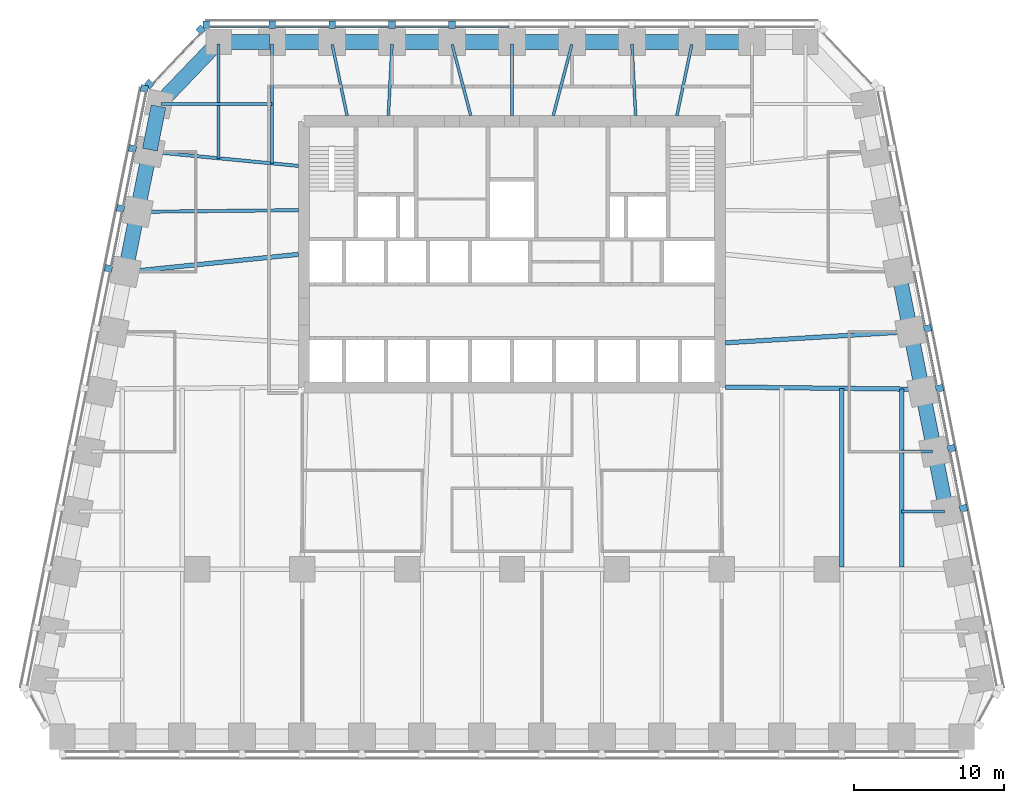
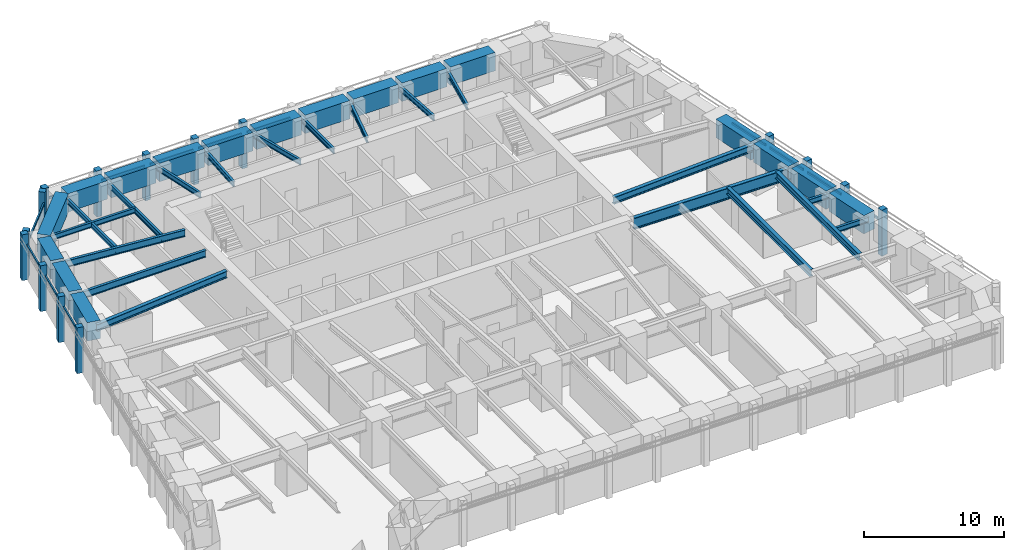
# One storey, part 3 of 10: 36 beams, 28 members, 4 elements without a shape of their own.
"""IFC4 building model written with IfcOpenShell, lengths in metres."""

from ifc_helpers import new_model, si_unit, direction, frame, origin, origin_2d, place, context, subcontext, project, spatial, rectangle, i_section, extrude, material, material_profile, profile_set, type_object, element, aggregate, save


model = new_model("IFC4")

# Units and contexts
model_context = context("Model", 3, precision=1e-05, world=origin(), true_north=direction((0.0, 1.0)))
body_context = subcontext(model_context, "Body", "Model", "MODEL_VIEW")
ifc_project = project(units=[si_unit("LENGTHUNIT", "METRE"), si_unit("AREAUNIT", "SQUARE_METRE"), si_unit("VOLUMEUNIT", "CUBIC_METRE"), si_unit("PLANEANGLEUNIT", "RADIAN"), si_unit("MASSUNIT", "GRAM", prefix="KILO")], contexts=[model_context])

# Site, building, storey
site_placement = place(None, origin())
site = spatial("IfcSite", under=ifc_project, at=site_placement, CompositionType="ELEMENT")
building_placement = place(site_placement, origin())
building = spatial("IfcBuilding", under=site, at=building_placement, Name="Isbrekke Arena Tower", CompositionType="ELEMENT")
storey_placement = place(building_placement, frame((0.0, 0.0, 147.0)))
storey = spatial("IfcBuildingStorey", under=building, at=storey_placement, Name="L33", CompositionType="ELEMENT", Elevation=147.0)

# Beams
ifc_material_1 = material(Name="Steel S355", Category="steel")
ifc_material_profile_1 = material_profile(ifc_material_1, i_section(OverallWidth=0.219970703125, OverallDepth=0.60009765625, WebThickness=0.011962890625, FlangeThickness=0.01904296875, FilletRadius=0.02392578125, at=origin_2d()), Name="IPE 600")
ifc_profile_set_1 = profile_set([ifc_material_profile_1], Name="Steel S355")
beam_type_1 = type_object("IfcBeamType", Name="B1 IPE 600", PredefinedType="BEAM", material=ifc_profile_set_1)
beam_1_placement = place(storey_placement, frame((-24.030517578125, 21.837158203125, 3.550048828125), z_axis=(0.995439798606, -0.095391862082, 0.0), x_axis=(0.095391862082, 0.995439798606, 0.0)))
element("IfcBeam", 1, at=beam_1_placement, inside=storey, type_object=beam_type_1, Name="B1 beam E-W02 L33", PredefinedType="BEAM", context=body_context, shape_type="SweptSolid", body=[
    extrude(i_section(OverallWidth=0.219970703125, OverallDepth=0.60009765625, WebThickness=0.011962890625, FlangeThickness=0.01904296875, FilletRadius=0.02392578125, at=origin_2d()), origin(), (0.0, 0.0, 1.0), 9.825439453125),
])
beam_2_placement = place(storey_placement, frame((-24.83984375, 17.838134765625, 3.550048828125), z_axis=(0.999944260169, 0.010558245831, 0.0), x_axis=(-0.010558245831, 0.999944260169, 0.0)))
element("IfcBeam", 2, at=beam_2_placement, inside=storey, type_object=beam_type_1, Name="B1 beam E-W03 L33", PredefinedType="BEAM", context=body_context, shape_type="SweptSolid", body=[
    extrude(i_section(OverallWidth=0.219970703125, OverallDepth=0.60009765625, WebThickness=0.011962890625, FlangeThickness=0.01904296875, FilletRadius=0.02392578125, at=origin_2d()), origin(), (0.0, 0.0, 1.0), 10.59033203125),
])
ifc_material_2 = material(Name="Steel S355", Category="steel")
ifc_material_profile_2 = material_profile(ifc_material_2, i_section(OverallWidth=0.18994140625, OverallDepth=0.449951171875, WebThickness=0.009521484375, FlangeThickness=0.0146484375, FilletRadius=0.02099609375, at=origin_2d()), Name="IPE 450")
ifc_profile_set_2 = profile_set([ifc_material_profile_2], Name="Steel S355")
beam_type_2 = type_object("IfcBeamType", Name="B2 IPE 450", PredefinedType="BEAM", material=ifc_profile_set_2)
beam_3_placement = place(storey_placement, frame((28.841064453125, -2.161865234375, 3.625), z_axis=(-1.0, 0.0, 0.0), x_axis=(0.0, -1.0, 0.0)))
element("IfcBeam", 3, at=beam_3_placement, inside=storey, type_object=beam_type_2, Name="B2 beam E-E04 L33", PredefinedType="BEAM", context=body_context, shape_type="SweptSolid", body=[
    extrude(i_section(OverallWidth=0.18994140625, OverallDepth=0.449951171875, WebThickness=0.009521484375, FlangeThickness=0.0146484375, FilletRadius=0.02099609375, at=origin_2d()), origin(), (0.0, 0.0, 1.0), 2.841064453125),
])
beam_4_placement = place(storey_placement, frame((28.041015625, 1.838134765625, 3.625), z_axis=(-1.0, 0.0, 0.0), x_axis=(0.0, -1.0, 0.0)))
element("IfcBeam", 4, at=beam_4_placement, inside=storey, type_object=beam_type_2, Name="B2 beam E-E05 L33", PredefinedType="BEAM", context=body_context, shape_type="SweptSolid", body=[
    extrude(i_section(OverallWidth=0.18994140625, OverallDepth=0.449951171875, WebThickness=0.009521484375, FlangeThickness=0.0146484375, FilletRadius=0.02099609375, at=origin_2d()), origin(), (0.0, 0.0, 1.0), 2.041015625),
])
beam_5_placement = place(storey_placement, frame((-23.40283203125, 25.029296875, 3.625), z_axis=(1.0, 0.0, 0.0), x_axis=(0.0, 1.0, 0.0)))
element("IfcBeam", 5, at=beam_5_placement, inside=storey, type_object=beam_type_2, Name="B2 beam E-W01 L33", PredefinedType="BEAM", context=body_context, shape_type="SweptSolid", body=[
    extrude(i_section(OverallWidth=0.18994140625, OverallDepth=0.449951171875, WebThickness=0.009521484375, FlangeThickness=0.0146484375, FilletRadius=0.02099609375, at=origin_2d()), origin(), (0.0, 0.0, 1.0), 7.40283203125),
])
ifc_material_3 = material(Name="Steel S355", Category="steel")
ifc_material_profile_3 = material_profile(ifc_material_3, i_section(OverallWidth=0.18994140625, OverallDepth=0.449951171875, WebThickness=0.009521484375, FlangeThickness=0.0146484375, FilletRadius=0.02099609375, at=origin_2d()), Name="IPE 450")
ifc_profile_set_3 = profile_set([ifc_material_profile_3], Name="Steel S355")
beam_type_3 = type_object("IfcBeamType", Name="B3 IPE 450", PredefinedType="BEAM", material=ifc_profile_set_3)
beam_6_placement = place(storey_placement, frame((-16.0, 29.02490234375, 3.625), z_axis=(0.0, -1.0, 0.0), x_axis=(1.0, 0.0, 0.0)))
element("IfcBeam", 6, at=beam_6_placement, inside=storey, type_object=beam_type_3, Name="B3 beam N-N10 L33", PredefinedType="BEAM", context=body_context, shape_type="SweptSolid", body=[
    extrude(i_section(OverallWidth=0.18994140625, OverallDepth=0.449951171875, WebThickness=0.009521484375, FlangeThickness=0.0146484375, FilletRadius=0.02099609375, at=origin_2d()), origin(), (0.0, 0.0, 1.0), 7.957275390625),
])
beam_7_placement = place(storey_placement, frame((-19.574951171875, 29.02490234375, 3.625), z_axis=(0.0, -1.0, 0.0), x_axis=(1.0, 0.0, 0.0)))
element("IfcBeam", 7, at=beam_7_placement, inside=storey, type_object=beam_type_3, Name="B3 beam N-N11 L33", PredefinedType="BEAM", context=body_context, shape_type="SweptSolid", body=[
    extrude(i_section(OverallWidth=0.18994140625, OverallDepth=0.449951171875, WebThickness=0.009521484375, FlangeThickness=0.0146484375, FilletRadius=0.02099609375, at=origin_2d()), origin(), (0.0, 0.0, 1.0), 7.61474609375),
])
beam_8_placement = place(storey_placement, frame((11.99609375, 29.005859375, 3.625), z_axis=(-0.20499748459, -0.978762499952, 0.0), x_axis=(0.978762499952, -0.20499748459, 0.0)))
element("IfcBeam", 8, at=beam_8_placement, inside=storey, type_object=beam_type_3, Name="B3 beam N-N03 L33", PredefinedType="BEAM", context=body_context, shape_type="SweptSolid", body=[
    extrude(i_section(OverallWidth=0.18994140625, OverallDepth=0.449951171875, WebThickness=0.009521484375, FlangeThickness=0.0146484375, FilletRadius=0.02099609375, at=origin_2d()), origin(), (0.0, 0.0, 1.0), 4.859130859375),
])
beam_9_placement = place(storey_placement, frame((8.000244140625, 29.02001953125, 3.625), z_axis=(0.052287879538, -0.998632053187, 0.0), x_axis=(0.998632053187, 0.052287879538, 0.0)))
element("IfcBeam", 9, at=beam_9_placement, inside=storey, type_object=beam_type_3, Name="B3 beam N-N04 L33", PredefinedType="BEAM", context=body_context, shape_type="SweptSolid", body=[
    extrude(i_section(OverallWidth=0.18994140625, OverallDepth=0.449951171875, WebThickness=0.009521484375, FlangeThickness=0.0146484375, FilletRadius=0.02099609375, at=origin_2d()), origin(), (0.0, 0.0, 1.0), 4.776611328125),
])
beam_10_placement = place(storey_placement, frame((3.993896484375, 29.001708984375, 3.625), z_axis=(-0.253245319824, -0.967402092197, 0.0), x_axis=(0.967402092197, -0.253245319824, 0.0)))
element("IfcBeam", 10, at=beam_10_placement, inside=storey, type_object=beam_type_3, Name="B3 beam N-N05 L33", PredefinedType="BEAM", context=body_context, shape_type="SweptSolid", body=[
    extrude(i_section(OverallWidth=0.18994140625, OverallDepth=0.449951171875, WebThickness=0.009521484375, FlangeThickness=0.0146484375, FilletRadius=0.02099609375, at=origin_2d()), origin(), (0.0, 0.0, 1.0), 4.911865234375),
])
beam_11_placement = place(storey_placement, frame((0.0, 29.02490234375, 3.625), z_axis=(0.0, -1.0, 0.0), x_axis=(1.0, 0.0, 0.0)))
element("IfcBeam", 11, at=beam_11_placement, inside=storey, type_object=beam_type_3, Name="B3 beam N-N06 L33", PredefinedType="BEAM", context=body_context, shape_type="SweptSolid", body=[
    extrude(i_section(OverallWidth=0.18994140625, OverallDepth=0.449951171875, WebThickness=0.009521484375, FlangeThickness=0.0146484375, FilletRadius=0.02099609375, at=origin_2d()), origin(), (0.0, 0.0, 1.0), 4.77490234375),
])
beam_12_placement = place(storey_placement, frame((-3.993896484375, 29.001708984375, 3.625), z_axis=(0.253245319824, -0.967402092197, 0.0), x_axis=(0.967402092197, 0.253245319824, 0.0)))
element("IfcBeam", 12, at=beam_12_placement, inside=storey, type_object=beam_type_3, Name="B3 beam N-N07 L33", PredefinedType="BEAM", context=body_context, shape_type="SweptSolid", body=[
    extrude(i_section(OverallWidth=0.18994140625, OverallDepth=0.449951171875, WebThickness=0.009521484375, FlangeThickness=0.0146484375, FilletRadius=0.02099609375, at=origin_2d()), origin(), (0.0, 0.0, 1.0), 4.911865234375),
])
beam_13_placement = place(storey_placement, frame((-8.000244140625, 29.02001953125, 3.625), z_axis=(-0.052287879538, -0.998632053187, 0.0), x_axis=(0.998632053187, -0.052287879538, 0.0)))
element("IfcBeam", 13, at=beam_13_placement, inside=storey, type_object=beam_type_3, Name="B3 beam N-N08 L33", PredefinedType="BEAM", context=body_context, shape_type="SweptSolid", body=[
    extrude(i_section(OverallWidth=0.18994140625, OverallDepth=0.449951171875, WebThickness=0.009521484375, FlangeThickness=0.0146484375, FilletRadius=0.02099609375, at=origin_2d()), origin(), (0.0, 0.0, 1.0), 4.776611328125),
])
beam_14_placement = place(storey_placement, frame((-11.99609375, 29.005859375, 3.625), z_axis=(0.20499748459, -0.978762499952, 0.0), x_axis=(0.978762499952, 0.20499748459, 0.0)))
element("IfcBeam", 14, at=beam_14_placement, inside=storey, type_object=beam_type_3, Name="B3 beam N-N09 L33", PredefinedType="BEAM", context=body_context, shape_type="SweptSolid", body=[
    extrude(i_section(OverallWidth=0.18994140625, OverallDepth=0.449951171875, WebThickness=0.009521484375, FlangeThickness=0.0146484375, FilletRadius=0.02099609375, at=origin_2d()), origin(), (0.0, 0.0, 1.0), 4.859130859375),
])
ifc_material_4 = material(Name="Steel S355", Category="steel")
ifc_material_profile_4 = material_profile(ifc_material_4, i_section(OverallWidth=0.300048828125, OverallDepth=0.60009765625, WebThickness=0.015380859375, FlangeThickness=0.030029296875, FilletRadius=0.027099609375, at=origin_2d()), Name="HEB 600")
ifc_profile_set_4 = profile_set([ifc_material_profile_4], Name="Steel S355")
beam_type_4 = type_object("IfcBeamType", Name="B7 HEB 600", PredefinedType="BEAM", material=ifc_profile_set_4)
beam_15_placement = place(storey_placement, frame((22.0, -5.84912109375, 3.550048828125), z_axis=(0.0, 1.0, 0.0), x_axis=(-1.0, 0.0, 0.0)))
element("IfcBeam", 15, at=beam_15_placement, inside=storey, type_object=beam_type_4, Name="B7 beam C-M13 L33", PredefinedType="BEAM", context=body_context, shape_type="SweptSolid", body=[
    extrude(i_section(OverallWidth=0.300048828125, OverallDepth=0.60009765625, WebThickness=0.015380859375, FlangeThickness=0.030029296875, FilletRadius=0.027099609375, at=origin_2d()), origin(), (0.0, 0.0, 1.0), 11.91064453125),
])
beam_16_placement = place(storey_placement, frame((26.0, -5.84912109375, 3.550048828125), z_axis=(0.0, 1.0, 0.0), x_axis=(-1.0, 0.0, 0.0)))
element("IfcBeam", 16, at=beam_16_placement, inside=storey, type_object=beam_type_4, Name="B7 beam C-M14 L33", PredefinedType="BEAM", context=body_context, shape_type="SweptSolid", body=[
    extrude(i_section(OverallWidth=0.300048828125, OverallDepth=0.60009765625, WebThickness=0.015380859375, FlangeThickness=0.030029296875, FilletRadius=0.027099609375, at=origin_2d()), origin(), (0.0, 0.0, 1.0), 11.864990234375),
])
beam_17_placement = place(storey_placement, frame((26.431884765625, 9.837646484375, 3.550048828125), z_axis=(-0.998172191876, -0.060434057993, 0.0), x_axis=(0.060434057993, -0.998172191876, 0.0)))
element("IfcBeam", 17, at=beam_17_placement, inside=storey, type_object=beam_type_4, Name="B7 beam E-E07 L33", PredefinedType="BEAM", context=body_context, shape_type="SweptSolid", body=[
    extrude(i_section(OverallWidth=0.300048828125, OverallDepth=0.60009765625, WebThickness=0.015380859375, FlangeThickness=0.030029296875, FilletRadius=0.027099609375, at=origin_2d()), origin(), (0.0, 0.0, 1.0), 12.2041015625),
])
beam_18_placement = place(storey_placement, frame((-25.6259765625, 13.83984375, 3.550048828125), z_axis=(0.994839949319, 0.10145676537, 0.0), x_axis=(-0.10145676537, 0.994839949319, 0.0)))
element("IfcBeam", 18, at=beam_18_placement, inside=storey, type_object=beam_type_4, Name="B7 beam E-W04 L33", PredefinedType="BEAM", context=body_context, shape_type="SweptSolid", body=[
    extrude(i_section(OverallWidth=0.300048828125, OverallDepth=0.60009765625, WebThickness=0.015380859375, FlangeThickness=0.030029296875, FilletRadius=0.027099609375, at=origin_2d()), origin(), (0.0, 0.0, 1.0), 11.43505859375),
])

# Curtain wall, members
ifc_material_5 = material(Name="Glazed aluminium curtain wall", Category="aluminium")
curtain_wall_type = type_object("IfcCurtainWallType", Name="CWM TOWER CURTAIN WALL MID ZONE", PredefinedType="USERDEFINED", material=ifc_material_5)
curtain_wall_1_placement = place(storey_placement, origin())
curtain_wall_1 = element("IfcCurtainWall", 19, at=curtain_wall_1_placement, inside=storey, type_object=curtain_wall_type, Name="CWM curtain wall L33-E", ObjectType="TOWER CURTAIN WALL MID ZONE", PredefinedType="USERDEFINED")
ifc_material_6 = material(Name="Aluminium mullion, pale brick slip cladding", Category="masonry")
ifc_material_profile_5 = material_profile(ifc_material_6, rectangle(XDim=0.449951171875, YDim=0.5, at=origin_2d()), Name="PIER 450X500")
ifc_profile_set_5 = profile_set([ifc_material_profile_5], Name="Aluminium mullion, pale brick slip cladding")
member_type_1 = type_object("IfcMemberType", Name="CWM-M PIER MULLION 450 x 500", PredefinedType="MULLION", material=ifc_profile_set_5)
member_1_placement = place(storey_placement, frame((30.11865234375, -1.936279296875, 0.0), z_axis=(0.0, 0.0, 1.0), x_axis=(-0.196116135138, 0.980580675691, 0.0)))
member_1 = element("IfcMember", 20, at=member_1_placement, type_object=member_type_1, Name="CWM-M mullion 4", PredefinedType="MULLION", context=body_context, shape_type="SweptSolid", body=[
    extrude(rectangle(XDim=0.449951171875, YDim=0.5, at=origin_2d()), origin(), (0.0, 0.0, 1.0), 4.0),
])
member_2_placement = place(storey_placement, frame((29.318603515625, 2.063720703125, 0.0), z_axis=(0.0, 0.0, 1.0), x_axis=(-0.196116135138, 0.980580675691, 0.0)))
member_2 = element("IfcMember", 21, at=member_2_placement, type_object=member_type_1, Name="CWM-M mullion 5", PredefinedType="MULLION", context=body_context, shape_type="SweptSolid", body=[
    extrude(rectangle(XDim=0.449951171875, YDim=0.5, at=origin_2d()), origin(), (0.0, 0.0, 1.0), 4.0),
])
member_3_placement = place(storey_placement, frame((28.518798828125, 6.063720703125, 0.0), z_axis=(0.0, 0.0, 1.0), x_axis=(-0.196116135138, 0.980580675691, 0.0)))
member_3 = element("IfcMember", 22, at=member_3_placement, type_object=member_type_1, Name="CWM-M mullion 6", PredefinedType="MULLION", context=body_context, shape_type="SweptSolid", body=[
    extrude(rectangle(XDim=0.449951171875, YDim=0.5, at=origin_2d()), origin(), (0.0, 0.0, 1.0), 4.0),
])
member_4_placement = place(storey_placement, frame((27.71875, 10.063720703125, 0.0), z_axis=(0.0, 0.0, 1.0), x_axis=(-0.196116135138, 0.980580675691, 0.0)))
member_4 = element("IfcMember", 23, at=member_4_placement, type_object=member_type_1, Name="CWM-M mullion 7", PredefinedType="MULLION", context=body_context, shape_type="SweptSolid", body=[
    extrude(rectangle(XDim=0.449951171875, YDim=0.5, at=origin_2d()), origin(), (0.0, 0.0, 1.0), 4.0),
])

curtain_wall_2_placement = place(storey_placement, origin())
curtain_wall_2 = element("IfcCurtainWall", 24, at=curtain_wall_2_placement, inside=storey, type_object=curtain_wall_type, Name="CWM curtain wall L33-N", ObjectType="TOWER CURTAIN WALL MID ZONE", PredefinedType="USERDEFINED")
member_5_placement = place(storey_placement, frame((-4.0, 30.324951171875, 0.0), z_axis=(0.0, 0.0, 1.0), x_axis=(-1.0, 0.0, 0.0)))
member_5 = element("IfcMember", 25, at=member_5_placement, type_object=member_type_1, Name="CWM-M mullion 7", PredefinedType="MULLION", context=body_context, shape_type="SweptSolid", body=[
    extrude(rectangle(XDim=0.449951171875, YDim=0.5, at=origin_2d()), origin(), (0.0, 0.0, 1.0), 4.0),
])
member_6_placement = place(storey_placement, frame((-8.0, 30.324951171875, 0.0), z_axis=(0.0, 0.0, 1.0), x_axis=(-1.0, 0.0, 0.0)))
member_6 = element("IfcMember", 26, at=member_6_placement, type_object=member_type_1, Name="CWM-M mullion 8", PredefinedType="MULLION", context=body_context, shape_type="SweptSolid", body=[
    extrude(rectangle(XDim=0.449951171875, YDim=0.5, at=origin_2d()), origin(), (0.0, 0.0, 1.0), 4.0),
])
member_7_placement = place(storey_placement, frame((-12.0, 30.324951171875, 0.0), z_axis=(0.0, 0.0, 1.0), x_axis=(-1.0, 0.0, 0.0)))
member_7 = element("IfcMember", 27, at=member_7_placement, type_object=member_type_1, Name="CWM-M mullion 9", PredefinedType="MULLION", context=body_context, shape_type="SweptSolid", body=[
    extrude(rectangle(XDim=0.449951171875, YDim=0.5, at=origin_2d()), origin(), (0.0, 0.0, 1.0), 4.0),
])
member_8_placement = place(storey_placement, frame((-16.0, 30.324951171875, 0.0), z_axis=(0.0, 0.0, 1.0), x_axis=(-1.0, 0.0, 0.0)))
member_8 = element("IfcMember", 28, at=member_8_placement, type_object=member_type_1, Name="CWM-M mullion 10", PredefinedType="MULLION", context=body_context, shape_type="SweptSolid", body=[
    extrude(rectangle(XDim=0.449951171875, YDim=0.5, at=origin_2d()), origin(), (0.0, 0.0, 1.0), 4.0),
])
member_9_placement = place(storey_placement, frame((-20.39990234375, 30.324951171875, 0.0), z_axis=(0.0, 0.0, 1.0), x_axis=(-1.0, 0.0, 0.0)))
member_9 = element("IfcMember", 29, at=member_9_placement, type_object=member_type_1, Name="CWM-M mullion 11", PredefinedType="MULLION", context=body_context, shape_type="SweptSolid", body=[
    extrude(rectangle(XDim=0.449951171875, YDim=0.5, at=origin_2d()), origin(), (0.0, 0.0, 1.0), 4.0),
])

curtain_wall_3_placement = place(storey_placement, origin())
curtain_wall_3 = element("IfcCurtainWall", 30, at=curtain_wall_3_placement, inside=storey, type_object=curtain_wall_type, Name="CWM curtain wall L33-NW", ObjectType="TOWER CURTAIN WALL MID ZONE", PredefinedType="USERDEFINED")
member_10_placement = place(storey_placement, frame((-20.759033203125, 29.985107421875, 0.0), z_axis=(0.0, 0.0, 1.0), x_axis=(-0.68874946192, -0.72499943359, 0.0)))
member_10 = element("IfcMember", 31, at=member_10_placement, type_object=member_type_1, Name="CWM-M mullion 1", PredefinedType="MULLION", context=body_context, shape_type="SweptSolid", body=[
    extrude(rectangle(XDim=0.449951171875, YDim=0.5, at=origin_2d()), origin(), (0.0, 0.0, 1.0), 4.0),
])
member_11_placement = place(storey_placement, frame((-24.207763671875, 26.35498046875, 0.0), z_axis=(0.0, 0.0, 1.0), x_axis=(-0.68874946192, -0.72499943359, 0.0)))
member_11 = element("IfcMember", 32, at=member_11_placement, type_object=member_type_1, Name="CWM-M mullion 2", PredefinedType="MULLION", context=body_context, shape_type="SweptSolid", body=[
    extrude(rectangle(XDim=0.449951171875, YDim=0.5, at=origin_2d()), origin(), (0.0, 0.0, 1.0), 4.0),
])

curtain_wall_4_placement = place(storey_placement, origin())
curtain_wall_4 = element("IfcCurtainWall", 33, at=curtain_wall_4_placement, inside=storey, type_object=curtain_wall_type, Name="CWM curtain wall L33-W", ObjectType="TOWER CURTAIN WALL MID ZONE", PredefinedType="USERDEFINED")
member_12_placement = place(storey_placement, frame((-24.518798828125, 26.063720703125, 0.0), z_axis=(0.0, 0.0, 1.0), x_axis=(-0.196116135138, -0.980580675691, 0.0)))
member_12 = element("IfcMember", 34, at=member_12_placement, type_object=member_type_1, Name="CWM-M mullion 1", PredefinedType="MULLION", context=body_context, shape_type="SweptSolid", body=[
    extrude(rectangle(XDim=0.449951171875, YDim=0.5, at=origin_2d()), origin(), (0.0, 0.0, 1.0), 4.0),
])
member_13_placement = place(storey_placement, frame((-25.318603515625, 22.063720703125, 0.0), z_axis=(0.0, 0.0, 1.0), x_axis=(-0.196116135138, -0.980580675691, 0.0)))
member_13 = element("IfcMember", 35, at=member_13_placement, type_object=member_type_1, Name="CWM-M mullion 2", PredefinedType="MULLION", context=body_context, shape_type="SweptSolid", body=[
    extrude(rectangle(XDim=0.449951171875, YDim=0.5, at=origin_2d()), origin(), (0.0, 0.0, 1.0), 4.0),
])
member_14_placement = place(storey_placement, frame((-26.11865234375, 18.063720703125, 0.0), z_axis=(0.0, 0.0, 1.0), x_axis=(-0.196116135138, -0.980580675691, 0.0)))
member_14 = element("IfcMember", 36, at=member_14_placement, type_object=member_type_1, Name="CWM-M mullion 3", PredefinedType="MULLION", context=body_context, shape_type="SweptSolid", body=[
    extrude(rectangle(XDim=0.449951171875, YDim=0.5, at=origin_2d()), origin(), (0.0, 0.0, 1.0), 4.0),
])
member_15_placement = place(storey_placement, frame((-26.918701171875, 14.063720703125, 0.0), z_axis=(0.0, 0.0, 1.0), x_axis=(-0.196116135138, -0.980580675691, 0.0)))
member_15 = element("IfcMember", 37, at=member_15_placement, type_object=member_type_1, Name="CWM-M mullion 4", PredefinedType="MULLION", context=body_context, shape_type="SweptSolid", body=[
    extrude(rectangle(XDim=0.449951171875, YDim=0.5, at=origin_2d()), origin(), (0.0, 0.0, 1.0), 4.0),
])

# Member
ifc_material_7 = material(Name="Aluminium transom", Category="aluminium")
ifc_material_profile_6 = material_profile(ifc_material_7, rectangle(XDim=0.1201171875, YDim=0.199951171875, at=origin_2d()), Name="TRANSOM 120X200")
ifc_profile_set_6 = profile_set([ifc_material_profile_6], Name="Aluminium transom")
member_type_2 = type_object("IfcMemberType", Name="CWM-T TRANSOM 120 x 200", PredefinedType="USERDEFINED", material=ifc_profile_set_6)
member_16_placement = place(storey_placement, frame((29.927490234375, -1.7451171875, 3.0), z_axis=(-0.196090262229, 0.980585849918, 0.0), x_axis=(-0.980585849918, -0.196090262229, 0.0)))
member_16 = element("IfcMember", 38, at=member_16_placement, type_object=member_type_2, Name="CWM-T transom 4", ObjectType="TRANSOM", PredefinedType="USERDEFINED", context=body_context, shape_type="SweptSolid", body=[
    extrude(rectangle(XDim=0.1201171875, YDim=0.199951171875, at=origin_2d()), origin(), (0.0, 0.0, 1.0), 3.62939453125),
])

member_17_placement = place(storey_placement, frame((29.12744140625, 2.2548828125, 3.0), z_axis=(-0.196090262229, 0.980585849918, 0.0), x_axis=(-0.980585849918, -0.196090262229, 0.0)))
member_17 = element("IfcMember", 39, at=member_17_placement, type_object=member_type_2, Name="CWM-T transom 5", ObjectType="TRANSOM", PredefinedType="USERDEFINED", context=body_context, shape_type="SweptSolid", body=[
    extrude(rectangle(XDim=0.1201171875, YDim=0.199951171875, at=origin_2d()), origin(), (0.0, 0.0, 1.0), 3.62939453125),
])

member_18_placement = place(storey_placement, frame((28.327392578125, 6.2548828125, 3.0), z_axis=(-0.196090262229, 0.980585849918, 0.0), x_axis=(-0.980585849918, -0.196090262229, 0.0)))
member_18 = element("IfcMember", 40, at=member_18_placement, type_object=member_type_2, Name="CWM-T transom 6", ObjectType="TRANSOM", PredefinedType="USERDEFINED", context=body_context, shape_type="SweptSolid", body=[
    extrude(rectangle(XDim=0.1201171875, YDim=0.199951171875, at=origin_2d()), origin(), (0.0, 0.0, 1.0), 3.62939453125),
])

member_19_placement = place(storey_placement, frame((27.527587890625, 10.2548828125, 3.0), z_axis=(-0.196154943734, 0.980572913173, 0.0), x_axis=(-0.980572913173, -0.196154943734, 0.0)))
member_19 = element("IfcMember", 41, at=member_19_placement, type_object=member_type_2, Name="CWM-T transom 7", ObjectType="TRANSOM", PredefinedType="USERDEFINED", context=body_context, shape_type="SweptSolid", body=[
    extrude(rectangle(XDim=0.1201171875, YDim=0.199951171875, at=origin_2d()), origin(), (0.0, 0.0, 1.0), 3.62939453125),
])

aggregate(curtain_wall_1, [member_1, member_2, member_3, member_4, member_16, member_17, member_18, member_19])

member_20_placement = place(storey_placement, frame((-0.22509765625, 30.175048828125, 3.0), z_axis=(-1.0, 0.0, 0.0), x_axis=(0.0, -1.0, 0.0)))
member_20 = element("IfcMember", 42, at=member_20_placement, type_object=member_type_2, Name="CWM-T transom 6", ObjectType="TRANSOM", PredefinedType="USERDEFINED", context=body_context, shape_type="SweptSolid", body=[
    extrude(rectangle(XDim=0.1201171875, YDim=0.199951171875, at=origin_2d()), origin(), (0.0, 0.0, 1.0), 3.5498046875),
])

member_21_placement = place(storey_placement, frame((-4.22509765625, 30.175048828125, 3.0), z_axis=(-1.0, 0.0, 0.0), x_axis=(0.0, -1.0, 0.0)))
member_21 = element("IfcMember", 43, at=member_21_placement, type_object=member_type_2, Name="CWM-T transom 7", ObjectType="TRANSOM", PredefinedType="USERDEFINED", context=body_context, shape_type="SweptSolid", body=[
    extrude(rectangle(XDim=0.1201171875, YDim=0.199951171875, at=origin_2d()), origin(), (0.0, 0.0, 1.0), 3.5498046875),
])

member_22_placement = place(storey_placement, frame((-8.22509765625, 30.175048828125, 3.0), z_axis=(-1.0, 0.0, 0.0), x_axis=(0.0, -1.0, 0.0)))
member_22 = element("IfcMember", 44, at=member_22_placement, type_object=member_type_2, Name="CWM-T transom 8", ObjectType="TRANSOM", PredefinedType="USERDEFINED", context=body_context, shape_type="SweptSolid", body=[
    extrude(rectangle(XDim=0.1201171875, YDim=0.199951171875, at=origin_2d()), origin(), (0.0, 0.0, 1.0), 3.5498046875),
])

member_23_placement = place(storey_placement, frame((-12.22509765625, 30.175048828125, 3.0), z_axis=(-1.0, 0.0, 0.0), x_axis=(0.0, -1.0, 0.0)))
member_23 = element("IfcMember", 45, at=member_23_placement, type_object=member_type_2, Name="CWM-T transom 9", ObjectType="TRANSOM", PredefinedType="USERDEFINED", context=body_context, shape_type="SweptSolid", body=[
    extrude(rectangle(XDim=0.1201171875, YDim=0.199951171875, at=origin_2d()), origin(), (0.0, 0.0, 1.0), 3.5498046875),
])

member_24_placement = place(storey_placement, frame((-16.22509765625, 30.175048828125, 3.0), z_axis=(-1.0, 0.0, 0.0), x_axis=(0.0, -1.0, 0.0)))
member_24 = element("IfcMember", 46, at=member_24_placement, type_object=member_type_2, Name="CWM-T transom 10", ObjectType="TRANSOM", PredefinedType="USERDEFINED", context=body_context, shape_type="SweptSolid", body=[
    extrude(rectangle(XDim=0.1201171875, YDim=0.199951171875, at=origin_2d()), origin(), (0.0, 0.0, 1.0), 3.949951171875),
])

aggregate(curtain_wall_2, [member_5, member_6, member_7, member_8, member_9, member_20, member_21, member_22, member_23, member_24])

member_25_placement = place(storey_placement, frame((-20.80517578125, 29.71875, 3.0), z_axis=(-0.688739606035, -0.725008796552, 0.0), x_axis=(0.725008796552, -0.688739606035, 0.0)))
member_25 = element("IfcMember", 47, at=member_25_placement, type_object=member_type_2, Name="CWM-T transom 1", ObjectType="TRANSOM", PredefinedType="USERDEFINED", context=body_context, shape_type="SweptSolid", body=[
    extrude(rectangle(XDim=0.1201171875, YDim=0.199951171875, at=origin_2d()), origin(), (0.0, 0.0, 1.0), 4.55712890625),
])

aggregate(curtain_wall_3, [member_10, member_11, member_25])

member_26_placement = place(storey_placement, frame((-24.415771484375, 25.813720703125, 3.0), z_axis=(-0.196090262229, -0.980585849918, 0.0), x_axis=(0.980585849918, -0.196090262229, 0.0)))
member_26 = element("IfcMember", 48, at=member_26_placement, type_object=member_type_2, Name="CWM-T transom 1", ObjectType="TRANSOM", PredefinedType="USERDEFINED", context=body_context, shape_type="SweptSolid", body=[
    extrude(rectangle(XDim=0.1201171875, YDim=0.199951171875, at=origin_2d()), origin(), (0.0, 0.0, 1.0), 3.62939453125),
])

member_27_placement = place(storey_placement, frame((-25.2158203125, 21.813720703125, 3.0), z_axis=(-0.196090262229, -0.980585849918, 0.0), x_axis=(0.980585849918, -0.196090262229, 0.0)))
member_27 = element("IfcMember", 49, at=member_27_placement, type_object=member_type_2, Name="CWM-T transom 2", ObjectType="TRANSOM", PredefinedType="USERDEFINED", context=body_context, shape_type="SweptSolid", body=[
    extrude(rectangle(XDim=0.1201171875, YDim=0.199951171875, at=origin_2d()), origin(), (0.0, 0.0, 1.0), 3.62939453125),
])

member_28_placement = place(storey_placement, frame((-26.015625, 17.813720703125, 3.0), z_axis=(-0.196154943734, -0.980572913173, 0.0), x_axis=(0.980572913173, -0.196154943734, 0.0)))
member_28 = element("IfcMember", 50, at=member_28_placement, type_object=member_type_2, Name="CWM-T transom 3", ObjectType="TRANSOM", PredefinedType="USERDEFINED", context=body_context, shape_type="SweptSolid", body=[
    extrude(rectangle(XDim=0.1201171875, YDim=0.199951171875, at=origin_2d()), origin(), (0.0, 0.0, 1.0), 3.62939453125),
])

aggregate(curtain_wall_4, [member_12, member_13, member_14, member_15, member_26, member_27, member_28])

# Beams
ifc_material_8 = material(Name="Steel S355", Category="steel")
ifc_material_profile_7 = material_profile(ifc_material_8, i_section(OverallWidth=0.302001953125, OverallDepth=1.008056640625, WebThickness=0.02099609375, FlangeThickness=0.0400390625, FilletRadius=0.030029296875, at=origin_2d()), Name="HEM 1000")
ifc_profile_set_7 = profile_set([ifc_material_profile_7], Name="Steel S355")
beam_type_5 = type_object("IfcBeamType", Name="G2 HEM 1000", PredefinedType="BEAM", material=ifc_profile_set_7)
beam_19_placement = place(storey_placement, frame((14.25, 6.14990234375, 3.345947265625), z_axis=(0.999934928157, -0.011407867963, 0.0), x_axis=(0.011407867963, 0.999934928157, 0.0)))
element("IfcBeam", 51, at=beam_19_placement, inside=storey, type_object=beam_type_5, Name="G2 beam G2-E L33", PredefinedType="BEAM", context=body_context, shape_type="SweptSolid", body=[
    extrude(i_section(OverallWidth=0.302001953125, OverallDepth=1.008056640625, WebThickness=0.02099609375, FlangeThickness=0.0400390625, FilletRadius=0.030029296875, at=origin_2d()), origin(), (0.0, 0.0, 1.0), 13.140380859375),
])
ifc_material_9 = material(Name="Concrete B80 (C80/95)", Category="concrete")
ifc_material_profile_8 = material_profile(ifc_material_9, rectangle(XDim=1.0, YDim=1.60009765625, at=origin_2d()), Name="RC 1000x1600")
ifc_profile_set_8 = profile_set([ifc_material_profile_8], Name="Concrete B80 (C80/95)")
beam_type_6 = type_object("IfcBeamType", Name="SB2 RC 1000 x 1600", PredefinedType="SPANDREL", material=ifc_profile_set_8)
for number, where, z_axis, x_axis, name in (
    (52, (28.961669921875, -2.0146484375, 3.199951171875), (-0.196128558387, 0.980578190959, 0.0), (-0.980578190959, -0.196128558387, 0.0), "SB2 spandrel E04-E05 L33"),
    (53, (28.16162109375, 1.9853515625, 3.199951171875), (-0.196128558387, 0.980578190959, 0.0), (-0.980578190959, -0.196128558387, 0.0), "SB2 spandrel E05-E06 L33"),
    (54, (27.361572265625, 5.9853515625, 3.199951171875), (-0.196128558387, 0.980578190959, 0.0), (-0.980578190959, -0.196128558387, 0.0), "SB2 spandrel E06-E07 L33"),
):
    element("IfcBeam", number, at=place(storey_placement, frame(where, z_axis=z_axis, x_axis=x_axis)), inside=storey, type_object=beam_type_6, Name=name, PredefinedType="SPANDREL", context=body_context, shape_type="SweptSolid", body=[
        extrude(rectangle(XDim=1.0, YDim=1.60009765625, at=origin_2d()), origin(), (0.0, 0.0, 1.0), 3.779296875),
    ])
beam_20_placement = place(storey_placement, frame((26.5615234375, 9.9853515625, 3.199951171875), z_axis=(-0.1960664412, 0.980590613169, 0.0), x_axis=(-0.980590613169, -0.1960664412, 0.0)))
element("IfcBeam", 55, at=beam_20_placement, inside=storey, type_object=beam_type_6, Name="SB2 spandrel E07-E08 L33", PredefinedType="SPANDREL", context=body_context, shape_type="SweptSolid", body=[
    extrude(rectangle(XDim=1.0, YDim=1.60009765625, at=origin_2d()), origin(), (0.0, 0.0, 1.0), 3.779052734375),
])
for number, where, z_axis, x_axis, name in (
    (56, (15.85009765625, 29.175048828125, 3.199951171875), (-1.0, 0.0, 0.0), (0.0, -1.0, 0.0), "SB2 spandrel N02-N03 L33"),
    (57, (11.85009765625, 29.175048828125, 3.199951171875), (-1.0, 0.0, 0.0), (0.0, -1.0, 0.0), "SB2 spandrel N03-N04 L33"),
    (58, (7.85009765625, 29.175048828125, 3.199951171875), (-1.0, 0.0, 0.0), (0.0, -1.0, 0.0), "SB2 spandrel N04-N05 L33"),
    (59, (3.85009765625, 29.175048828125, 3.199951171875), (-1.0, 0.0, 0.0), (0.0, -1.0, 0.0), "SB2 spandrel N05-N06 L33"),
    (60, (-0.14990234375, 29.175048828125, 3.199951171875), (-1.0, 0.0, 0.0), (0.0, -1.0, 0.0), "SB2 spandrel N06-N07 L33"),
    (61, (-4.14990234375, 29.175048828125, 3.199951171875), (-1.0, 0.0, 0.0), (0.0, -1.0, 0.0), "SB2 spandrel N07-N08 L33"),
    (62, (-8.14990234375, 29.175048828125, 3.199951171875), (-1.0, 0.0, 0.0), (0.0, -1.0, 0.0), "SB2 spandrel N08-N09 L33"),
    (63, (-12.14990234375, 29.175048828125, 3.199951171875), (-1.0, 0.0, 0.0), (0.0, -1.0, 0.0), "SB2 spandrel N09-N10 L33"),
):
    element("IfcBeam", number, at=place(storey_placement, frame(where, z_axis=z_axis, x_axis=x_axis)), inside=storey, type_object=beam_type_6, Name=name, PredefinedType="SPANDREL", context=body_context, shape_type="SweptSolid", body=[
        extrude(rectangle(XDim=1.0, YDim=1.60009765625, at=origin_2d()), origin(), (0.0, 0.0, 1.0), 3.7001953125),
    ])
beam_21_placement = place(storey_placement, frame((-16.14990234375, 29.175048828125, 3.199951171875), z_axis=(-1.0, 0.0, 0.0), x_axis=(0.0, -1.0, 0.0)))
element("IfcBeam", 64, at=beam_21_placement, inside=storey, type_object=beam_type_6, Name="SB2 spandrel N10-N11 L33", PredefinedType="SPANDREL", context=body_context, shape_type="SweptSolid", body=[
    extrude(rectangle(XDim=1.0, YDim=1.60009765625, at=origin_2d()), origin(), (0.0, 0.0, 1.0), 3.275146484375),
])
beam_22_placement = place(storey_placement, frame((-19.678955078125, 29.066650390625, 3.199951171875), z_axis=(-0.692339547635, -0.721571861134, 0.0), x_axis=(0.721571861134, -0.692339547635, 0.0)))
element("IfcBeam", 65, at=beam_22_placement, inside=storey, type_object=beam_type_6, Name="SB2 spandrel N11-W01 L33", PredefinedType="SPANDREL", context=body_context, shape_type="SweptSolid", body=[
    extrude(rectangle(XDim=1.0, YDim=1.60009765625, at=origin_2d()), origin(), (0.0, 0.0, 1.0), 5.4453125),
])
beam_23_placement = place(storey_placement, frame((-23.582275390625, 24.882080078125, 3.199951171875), z_axis=(-0.196116135138, -0.980580675691, 0.0), x_axis=(0.980580675691, -0.196116135138, 0.0)))
element("IfcBeam", 66, at=beam_23_placement, inside=storey, type_object=beam_type_6, Name="SB2 spandrel W01-W02 L33", PredefinedType="SPANDREL", context=body_context, shape_type="SweptSolid", body=[
    extrude(rectangle(XDim=1.0, YDim=1.60009765625, at=origin_2d()), origin(), (0.0, 0.0, 1.0), 2.9541015625),
])
for number, where, z_axis, x_axis, name in (
    (67, (-24.220458984375, 21.691162109375, 3.199951171875), (-0.196128558387, -0.980578190959, 0.0), (0.980578190959, -0.196128558387, 0.0), "SB2 spandrel W02-W03 L33"),
    (68, (-25.0205078125, 17.691162109375, 3.199951171875), (-0.196128558387, -0.980578190959, 0.0), (0.980578190959, -0.196128558387, 0.0), "SB2 spandrel W03-W04 L33"),
):
    element("IfcBeam", number, at=place(storey_placement, frame(where, z_axis=z_axis, x_axis=x_axis)), inside=storey, type_object=beam_type_6, Name=name, PredefinedType="SPANDREL", context=body_context, shape_type="SweptSolid", body=[
        extrude(rectangle(XDim=1.0, YDim=1.60009765625, at=origin_2d()), origin(), (0.0, 0.0, 1.0), 3.779296875),
    ])

save(model, "model.ifc")
